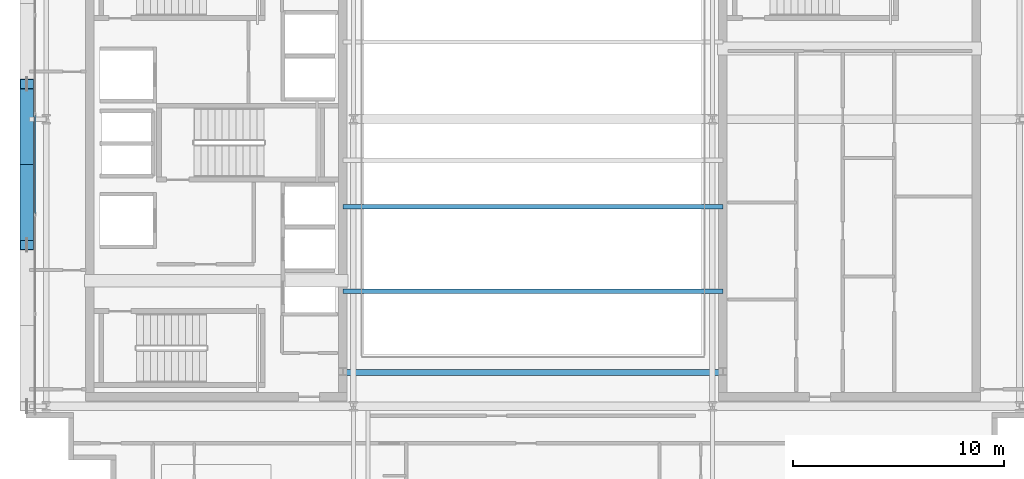
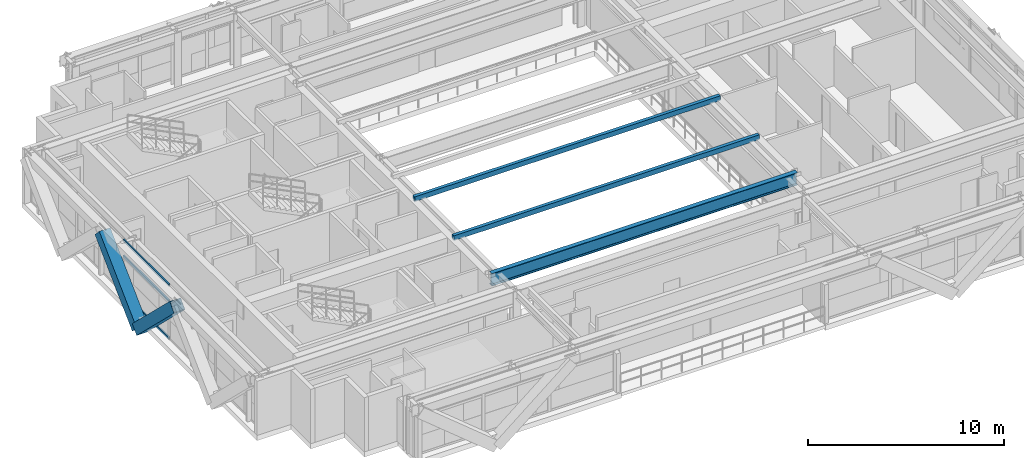
# One storey, part 7 of 29: 7 members, 1 beam, 1 element without a shape of its own.
"""IFC4 building model written with IfcOpenShell, lengths in metres."""

import ifcopenshell
import ifcopenshell.guid

model = None  # the IFC model being written
_history = None  # IfcOwnerHistory: only IFC2X3 demands one
_inside = {}  # id of a spatial element -> (the spatial element, [elements in it])
_under = {}  # id of a project, library or spatial element -> (it, [spatial elements below it])
_declared = {}  # id of a project -> (the project, [libraries it declares])
_typed = {}  # id of a type object -> (the type object, [elements of that type])
_made_of = {}  # id of a material, layer set ... -> (it, [elements and type objects made of it])


def new_model(schema):
    """Start an empty IFC model of exactly this schema.

    Asked for "IFC4X3", IfcOpenShell would pick the latest addendum, in which some entities
    have other attributes; the version numbers below select the first issue.
    IFC2X3 requires an IfcOwnerHistory on every rooted entity: one is made here for all.
    """
    global model, _history
    if schema == "IFC4X3":
        model = ifcopenshell.file(schema_version=(4, 3, 0, 0))
    else:
        model = ifcopenshell.file(schema=schema)
    _inside.clear()
    _under.clear()
    _declared.clear()
    _typed.clear()
    _made_of.clear()
    _history = None
    if model.schema == "IFC2X3":
        org = make("IfcOrganization", Name="unknown")
        user = make(
            "IfcPersonAndOrganization",
            ThePerson=make("IfcPerson", FamilyName="unknown"),
            TheOrganization=org,
        )
        app = make(
            "IfcApplication",
            ApplicationDeveloper=org,
            Version="unknown",
            ApplicationFullName="unknown",
            ApplicationIdentifier="unknown",
        )
        _history = make(
            "IfcOwnerHistory",
            OwningUser=user,
            OwningApplication=app,
            ChangeAction="ADDED",
            CreationDate=0,
        )
    return model


def make(cls, **values):
    """One entity of the class cls with the attributes given. An attribute that is None is left unset."""
    return model.create_entity(
        cls, **{name: value for name, value in values.items() if value is not None}
    )


def rooted(cls, **values):
    """An entity with a GlobalId (a new one), such as an element, a storey or a relation."""
    return make(cls, GlobalId=ifcopenshell.guid.new(), OwnerHistory=_history, **values)


def si_unit(unit_type, name, prefix=None):
    """IfcSIUnit, for example si_unit("LENGTHUNIT", "METRE", prefix="MILLI")."""
    return make("IfcSIUnit", UnitType=unit_type, Prefix=prefix, Name=name)


def assignment(units):
    """IfcUnitAssignment: the units of a project."""
    return None if units is None else make("IfcUnitAssignment", Units=units)


def point(xyz):
    """IfcCartesianPoint."""
    return None if xyz is None else make("IfcCartesianPoint", Coordinates=xyz)


def direction(xyz):
    """IfcDirection."""
    return None if xyz is None else make("IfcDirection", DirectionRatios=xyz)


def frame(location, z_axis=None, x_axis=None):
    """IfcAxis2Placement3D, a coordinate frame: its origin and axes. An axis left out is left unset."""
    return make(
        "IfcAxis2Placement3D",
        Location=point(location),
        Axis=direction(z_axis),
        RefDirection=direction(x_axis),
    )


def frame_2d(location, x_axis=None):
    """IfcAxis2Placement2D, a coordinate frame in the plane: its origin and x axis."""
    return make(
        "IfcAxis2Placement2D", Location=point(location), RefDirection=direction(x_axis)
    )


def origin():
    """The frame at (0, 0, 0) with its axes left unset."""
    return frame((0.0, 0.0, 0.0))


def origin_2d():
    """The frame at (0, 0) in the plane with its x axis left unset."""
    return frame_2d((0.0, 0.0))


def place(relative_to, where):
    """IfcLocalPlacement: puts the frame where relative to a parent placement (None: the world)."""
    return make(
        "IfcLocalPlacement", PlacementRelTo=relative_to, RelativePlacement=where
    )


def context(
    kind, dimensions, precision=None, world=None, true_north=None, identifier=None
):
    """IfcGeometricRepresentationContext, for example the 3D "Model" context."""
    return make(
        "IfcGeometricRepresentationContext",
        ContextIdentifier=identifier,
        ContextType=kind,
        CoordinateSpaceDimension=dimensions,
        Precision=precision,
        WorldCoordinateSystem=world,
        TrueNorth=true_north,
    )


def subcontext(parent, identifier, kind, view, scale=None):
    """IfcGeometricRepresentationSubContext, for example "Body" below "Model"."""
    return make(
        "IfcGeometricRepresentationSubContext",
        ContextIdentifier=identifier,
        ContextType=kind,
        ParentContext=parent,
        TargetScale=scale,
        TargetView=view,
    )


def project(units=None, contexts=None):
    """IfcProject with its units and contexts."""
    return rooted(
        "IfcProject",
        Name="project",
        RepresentationContexts=contexts,
        UnitsInContext=assignment(units),
    )


def spatial(cls, under=None, at=None, **own):
    """A site, building, storey or space (cls), placed at a placement, below another one or the project."""
    s = rooted(cls, ObjectPlacement=at, **own)
    if under is not None:
        _under.setdefault(under.id(), (under, []))[1].append(s)
    return s


def profile(cls, at=None, kind="AREA", **sizes):
    """A parametric profile (cls). Its sizes go by their IFC names, for example OverallWidth=200.0."""
    return make(cls, ProfileType=kind, Position=at, **sizes)


def hollow_rectangle(**sizes):
    """IfcRectangleHollowProfileDef."""
    return profile("IfcRectangleHollowProfileDef", **sizes)


def i_section(**sizes):
    """IfcIShapeProfileDef."""
    return profile("IfcIShapeProfileDef", **sizes)


def extrude(swept, where, along, depth):
    """IfcExtrudedAreaSolid: the profile swept, set in the frame where, extruded along a direction by depth."""
    return make(
        "IfcExtrudedAreaSolid",
        SweptArea=swept,
        Position=where,
        ExtrudedDirection=direction(along),
        Depth=depth,
    )


def shape(context_of_items, identifier, shape_type, items):
    """IfcShapeRepresentation: the items that make up one representation, for example the "Body"."""
    return make(
        "IfcShapeRepresentation",
        ContextOfItems=context_of_items,
        RepresentationIdentifier=identifier,
        RepresentationType=shape_type,
        Items=items,
    )


def source(mapping_origin, context_of_items, identifier, shape_type, items):
    """IfcRepresentationMap: a shape defined once, which mapped items show again and again."""
    return make(
        "IfcRepresentationMap",
        MappingOrigin=mapping_origin,
        MappedRepresentation=shape(context_of_items, identifier, shape_type, items),
    )


def transform(
    local_origin,
    x_axis=None,
    y_axis=None,
    z_axis=None,
    scale=None,
    scale2=None,
    scale3=None,
    uniform=True,
):
    """IfcCartesianTransformationOperator3D, or its non-uniform kind. x_axis, y_axis, z_axis: its Axis1, 2, 3."""
    if uniform:
        return make(
            "IfcCartesianTransformationOperator3D",
            Axis1=direction(x_axis),
            Axis2=direction(y_axis),
            LocalOrigin=point(local_origin),
            Scale=scale,
            Axis3=direction(z_axis),
        )
    return make(
        "IfcCartesianTransformationOperator3DnonUniform",
        Axis1=direction(x_axis),
        Axis2=direction(y_axis),
        LocalOrigin=point(local_origin),
        Scale=scale,
        Axis3=direction(z_axis),
        Scale2=scale2,
        Scale3=scale3,
    )


def mapped(mapping_source, mapping_target):
    """IfcMappedItem: shows the shape of a source again, moved by a transform."""
    return make(
        "IfcMappedItem", MappingSource=mapping_source, MappingTarget=mapping_target
    )


def material(Name=None, Category=None):
    """IfcMaterial."""
    return make("IfcMaterial", Name=Name, Category=Category)


def layer(
    of_material, thickness, ventilated=None, Name=None, Category=None, Priority=None
):
    """IfcMaterialLayer: one layer of a wall or slab, of a material (None: an air gap)."""
    return make(
        "IfcMaterialLayer",
        Material=of_material,
        LayerThickness=thickness,
        IsVentilated=ventilated,
        Name=Name,
        Category=Category,
        Priority=Priority,
    )


def layer_set(layers, Name=None):
    """IfcMaterialLayerSet."""
    return make("IfcMaterialLayerSet", MaterialLayers=layers, LayerSetName=Name)


def material_profile(
    of_material, cross_section, Name=None, Category=None, Priority=None
):
    """IfcMaterialProfile: a cross section and its material."""
    return make(
        "IfcMaterialProfile",
        Name=Name,
        Material=of_material,
        Profile=cross_section,
        Priority=Priority,
        Category=Category,
    )


def profile_set(profiles, Name=None, composite=None):
    """IfcMaterialProfileSet."""
    return make(
        "IfcMaterialProfileSet",
        Name=Name,
        MaterialProfiles=profiles,
        CompositeProfile=composite,
    )


def made_of(thing, what):
    """Note that an element or type object is made of a material, layer set ...; save() writes the relation."""
    if what is not None:
        _made_of.setdefault(what.id(), (what, []))[1].append(thing)
    return thing


def type_object(cls, material=None, **own):
    """A type object (cls), such as IfcWallType, which elements share."""
    return made_of(rooted(cls, **own), material)


def element(
    cls,
    number,
    at=None,
    inside=None,
    cuts=None,
    type_object=None,
    material=None,
    context=None,
    identifier="Body",
    shape_type=None,
    held_by="IfcProductDefinitionShape",
    body=None,
    shapes=None,
    **own,
):
    """One element of the class cls, such as IfcWall. Its Tag is "e" and its number.

    at: its placement. inside: the storey or other place that contains it. cuts: it is an
    opening in that element (IfcRelVoidsElement). A single representation is given by context,
    identifier, shape_type and body (its items); several are given by shapes. held_by: the class
    of the entity that holds the representations. save() writes the other relations.
    """
    e = rooted(cls, Tag="e%d" % number, ObjectPlacement=at, **own)
    if body is not None:
        shapes = [shape(context, identifier, shape_type, body)]
    if shapes is not None:
        e.Representation = make(held_by, Representations=shapes)
    if inside is not None:
        _inside.setdefault(inside.id(), (inside, []))[1].append(e)
    if cuts is not None:
        rooted(
            "IfcRelVoidsElement", RelatingBuildingElement=cuts, RelatedOpeningElement=e
        )
    if type_object is not None:
        _typed.setdefault(type_object.id(), (type_object, []))[1].append(e)
    return made_of(e, material)


def aggregate(whole, parts):
    """IfcRelAggregates: a whole, such as a stair, and the parts it consists of."""
    return rooted("IfcRelAggregates", RelatingObject=whole, RelatedObjects=parts)


def save(model, path):
    """Write the relations noted so far, then the file.

    IfcRelAggregates (storeys below a building ...), IfcRelContainedInSpatialStructure (elements
    in a storey), IfcRelDefinesByType, IfcRelAssociatesMaterial and IfcRelDeclares: one each for
    every whole, place, type object, material and project.
    """
    for whole, parts in _under.values():
        aggregate(whole, parts)
    for where, things in _inside.values():
        rooted(
            "IfcRelContainedInSpatialStructure",
            RelatedElements=things,
            RelatingStructure=where,
        )
    for kind, things in _typed.values():
        rooted("IfcRelDefinesByType", RelatedObjects=things, RelatingType=kind)
    for what, things in _made_of.values():
        rooted("IfcRelAssociatesMaterial", RelatedObjects=things, RelatingMaterial=what)
    for by, libraries in _declared.values():
        rooted("IfcRelDeclares", RelatingContext=by, RelatedDefinitions=libraries)
    model.write(path)


model = new_model("IFC4")

# Units and contexts
model_context = context("Model", 3, precision=1e-05, world=origin(), true_north=direction((0.0, 1.0)))
body_context = subcontext(model_context, "Body", "Model", "MODEL_VIEW")
ifc_project = project(units=[si_unit("LENGTHUNIT", "METRE"), si_unit("AREAUNIT", "SQUARE_METRE"), si_unit("VOLUMEUNIT", "CUBIC_METRE"), si_unit("PLANEANGLEUNIT", "RADIAN"), si_unit("MASSUNIT", "GRAM", prefix="KILO")], contexts=[model_context])

# Site, building, storey
site_placement = place(None, origin())
site = spatial("IfcSite", under=ifc_project, at=site_placement, CompositionType="ELEMENT")
building_placement = place(site_placement, origin())
building = spatial("IfcBuilding", under=site, at=building_placement, Name="Ocotamira Hotel", CompositionType="ELEMENT")
storey_placement = place(building_placement, frame((0.0, 0.0, 247.199951171875)))
storey = spatial("IfcBuildingStorey", under=building, at=storey_placement, Name="L62", CompositionType="ELEMENT", Elevation=247.199951171875)

# Members
ifc_material_1 = material(Name="Steel ASTM A500 Grade C", Category="steel")
ifc_material_profile_1 = material_profile(ifc_material_1, hollow_rectangle(XDim=0.199951171875, YDim=0.300048828125, WallThickness=0.011962890625, at=origin_2d()), Name="HSS300X200X12")
ifc_profile_set_1 = profile_set([ifc_material_profile_1], Name="Steel ASTM A500 Grade C")
member_type_1 = type_object("IfcMemberType", Name="MEM-PURL-HSS300", PredefinedType="PURLIN", material=ifc_profile_set_1)
shared_shape_1 = source(origin(), body_context, "Body", "SweptSolid", [
    extrude(hollow_rectangle(XDim=0.199951171875, YDim=0.300048828125, WallThickness=0.011962890625, at=origin_2d()), origin(), (0.0, 0.0, 1.0), 18.0),
])
for number, where, z_axis, x_axis, name in (
    (1, (23.0, 20.0, 3.449951171875), (1.0, 0.0, 0.0), (0.0, 1.0, 0.0), "L62 Atrium Roof Purlin Y20"),
    (2, (23.0, 24.0, 3.449951171875), (1.0, 0.0, 0.0), (0.0, 1.0, 0.0), "L62 Atrium Roof Purlin Y24"),
):
    element("IfcMember", number, at=place(storey_placement, frame(where, z_axis=z_axis, x_axis=x_axis)), inside=storey, type_object=member_type_1, Name=name, PredefinedType="PURLIN", context=body_context, shape_type="MappedRepresentation", body=[
        mapped(shared_shape_1, transform((0.0, 0.0, 0.0), scale=1.0)),
    ])

# Beam
ifc_material_2 = material(Name="Steel ASTM A992 Grade 50", Category="steel")
ifc_material_profile_2 = material_profile(ifc_material_2, i_section(OverallWidth=0.26611328125, OverallDepth=0.779052734375, WebThickness=0.0166015625, FlangeThickness=0.030029296875, FilletRadius=0.01806640625, at=origin_2d()), Name="W30X148")
ifc_profile_set_2 = profile_set([ifc_material_profile_2], Name="Steel ASTM A992 Grade 50")
beam_type = type_object("IfcBeamType", Name="BM-GIRD-W30X148", PredefinedType="BEAM", material=ifc_profile_set_2)
shared_shape_2 = source(origin(), body_context, "Body", "SweptSolid", [
    extrude(i_section(OverallWidth=0.26611328125, OverallDepth=0.779052734375, WebThickness=0.0166015625, FlangeThickness=0.030029296875, FilletRadius=0.01806640625, at=origin_2d()), origin(), (0.0, 0.0, 1.0), 18.0),
])
beam_placement = place(storey_placement, frame((23.0, 16.14990234375, 3.21044921875), z_axis=(1.0, 0.0, 0.0), x_axis=(0.0, 1.0, 0.0)))
element("IfcBeam", 3, at=beam_placement, inside=storey, type_object=beam_type, Name="L62 Atrium Roof Edge Girder S", PredefinedType="BEAM", context=body_context, shape_type="MappedRepresentation", body=[
    mapped(shared_shape_2, transform((0.0, 0.0, 0.0), scale=1.0)),
])

# Members
ifc_material_3 = material(Name="Pale-metal coated steel ASTM A913 Grade 65", Category="steel")
ifc_material_profile_3 = material_profile(ifc_material_3, hollow_rectangle(XDim=0.64990234375, YDim=0.64990234375, WallThickness=0.02197265625, at=origin_2d()), Name="BOX650X650X22")
ifc_profile_set_3 = profile_set([ifc_material_profile_3], Name="Pale-metal coated steel ASTM A913 Grade 65")
member_type_2 = type_object("IfcMemberType", Name="MEM-EXO-BOX650", PredefinedType="BRACE", material=ifc_profile_set_3)
shared_shape_3 = source(origin(), body_context, "Body", "SweptSolid", [
    extrude(hollow_rectangle(XDim=0.64990234375, YDim=0.64990234375, WallThickness=0.02197265625, at=origin_2d()), origin(), (0.0, 0.0, 1.0), 5.31591796875),
])
for number, where, z_axis, x_axis, name in (
    (4, (8.030029296875, 26.0, -0.570068359375), (0.0, -0.717975506843, 0.696068367026), (1.0, 0.0, 0.0), "L62 Exoskeleton Diagrid W1.1"),
    (5, (8.030029296875, 26.0, -0.570068359375), (0.0, 0.717975506843, 0.696068367026), (-1.0, 0.0, 0.0), "L62 Exoskeleton Diagrid W1.2"),
):
    element("IfcMember", number, at=place(storey_placement, frame(where, z_axis=z_axis, x_axis=x_axis)), inside=storey, type_object=member_type_2, Name=name, PredefinedType="BRACE", context=body_context, shape_type="MappedRepresentation", body=[
        mapped(shared_shape_3, transform((0.0, 0.0, 0.0), scale=1.0)),
    ])

# Curtain wall, members
ifc_material_4 = material(Name="Anodised pale-metal aluminium and solar glass", Category="aluminium")
ifc_layer = layer(ifc_material_4, 0.239990234375)
ifc_layer_set = layer_set([ifc_layer], Name="Anodised pale-metal aluminium and solar glass")
curtain_wall_type = type_object("IfcCurtainWallType", Name="CW-SYS5-SKY", PredefinedType="NOTDEFINED", material=ifc_layer_set)
curtain_wall_placement = place(storey_placement, origin())
curtain_wall = element("IfcCurtainWall", 6, at=curtain_wall_placement, inside=storey, type_object=curtain_wall_type, Name="L62 Curtain Wall CW-5 CW-L62-W", PredefinedType="NOTDEFINED")
ifc_material_5 = material(Name="Anodised pale-metal aluminium 6063-T6", Category="aluminium")
ifc_material_profile_4 = material_profile(ifc_material_5, hollow_rectangle(XDim=0.074951171875, YDim=0.14990234375, WallThickness=0.006103515625, at=origin_2d()), Name="HSS150X75X6")
ifc_profile_set_4 = profile_set([ifc_material_profile_4], Name="Anodised pale-metal aluminium 6063-T6")
member_type_3 = type_object("IfcMemberType", Name="CWT-150X75", PredefinedType="USERDEFINED", material=ifc_profile_set_4)
shared_shape_4 = source(origin(), body_context, "Body", "SweptSolid", [
    extrude(hollow_rectangle(XDim=0.074951171875, YDim=0.14990234375, WallThickness=0.006103515625, at=origin_2d()), origin(), (0.0, 0.0, 1.0), 4.64013671875),
])
member_1_placement = place(storey_placement, frame((8.419921875, 23.679931640625, 0.03759765625), z_axis=(0.0, 1.0, 0.0), x_axis=(-1.0, 0.0, 0.0)))
member_1 = element("IfcMember", 7, at=member_1_placement, type_object=member_type_3, Name="CW-5 transom 3.1", ObjectType="TRANSOM", PredefinedType="USERDEFINED", context=body_context, shape_type="MappedRepresentation", body=[
    mapped(shared_shape_4, transform((0.0, 0.0, 0.0), scale=1.0)),
])
member_2_placement = place(storey_placement, frame((8.419921875, 23.679931640625, 2.35009765625), z_axis=(0.0, 1.0, 0.0), x_axis=(-1.0, 0.0, 0.0)))
member_2 = element("IfcMember", 8, at=member_2_placement, type_object=member_type_3, Name="CW-5 transom 3.2", ObjectType="TRANSOM", PredefinedType="USERDEFINED", context=body_context, shape_type="MappedRepresentation", body=[
    mapped(shared_shape_4, transform((0.0, 0.0, 0.0), scale=1.0)),
])
member_3_placement = place(storey_placement, frame((8.419921875, 23.679931640625, 3.342529296875), z_axis=(0.0, 1.0, 0.0), x_axis=(-1.0, 0.0, 0.0)))
member_3 = element("IfcMember", 9, at=member_3_placement, type_object=member_type_3, Name="CW-5 transom 3.3", ObjectType="TRANSOM", PredefinedType="USERDEFINED", context=body_context, shape_type="MappedRepresentation", body=[
    mapped(shared_shape_4, transform((0.0, 0.0, 0.0), scale=1.0)),
])
aggregate(curtain_wall, [member_1, member_2, member_3])

save(model, "model.ifc")
